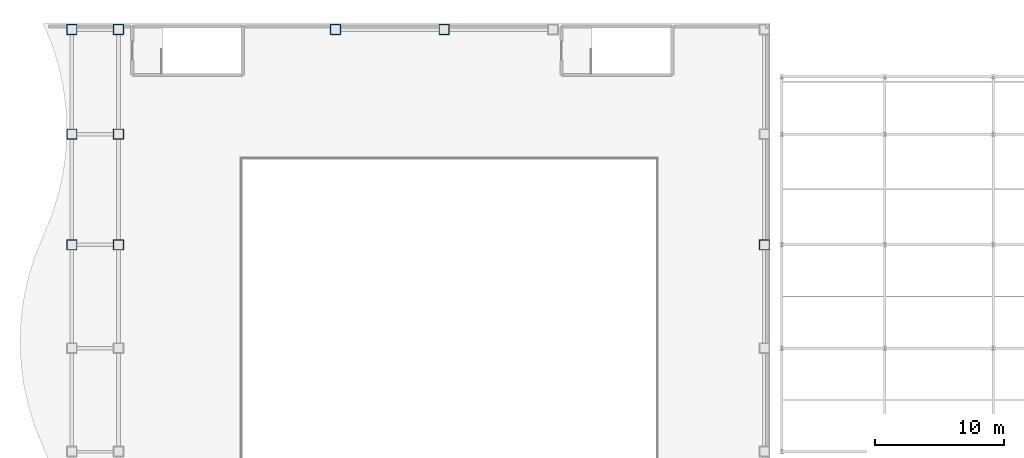
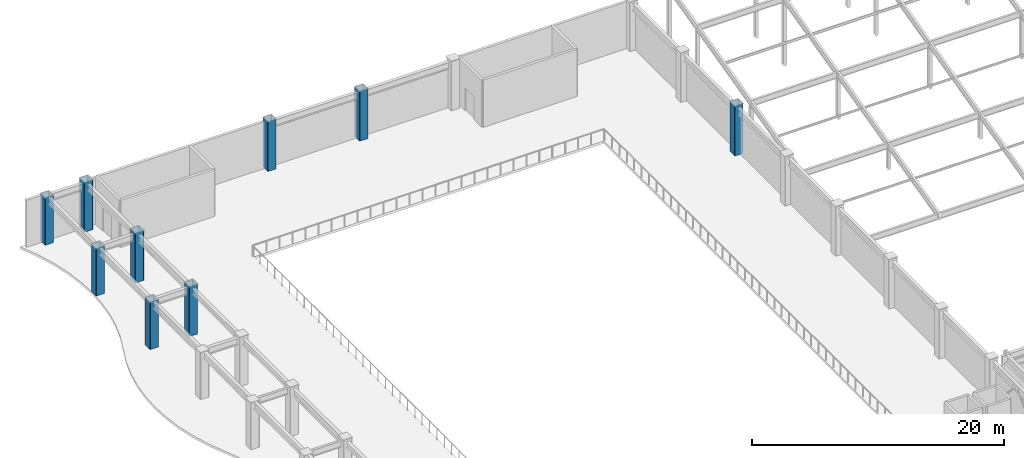
# One storey, part 10 of 93: 9 columns.
"""IFC4 building model written with IfcOpenShell, lengths in metres."""

from ifc_helpers import new_model, si_unit, direction, frame, origin, origin_2d, place, context, subcontext, project, spatial, hollow_rectangle, extrude, material, material_profile, profile_set, type_object, element, save


model = new_model("IFC4")

# Units and contexts
model_context = context("Model", 3, precision=1e-05, world=origin(), true_north=direction((0.0, 1.0)))
body_context = subcontext(model_context, "Body", "Model", "MODEL_VIEW")
ifc_project = project(units=[si_unit("LENGTHUNIT", "METRE"), si_unit("AREAUNIT", "SQUARE_METRE"), si_unit("VOLUMEUNIT", "CUBIC_METRE"), si_unit("PLANEANGLEUNIT", "RADIAN"), si_unit("MASSUNIT", "GRAM", prefix="KILO")], contexts=[model_context])

# Site, building, storey
site_placement = place(None, origin())
site = spatial("IfcSite", under=ifc_project, at=site_placement, CompositionType="ELEMENT")
building_placement = place(site_placement, origin())
building = spatial("IfcBuilding", under=site, at=building_placement, Name="Kazehara Bluff Congress Hotel", CompositionType="ELEMENT")
storey_placement = place(building_placement, frame((0.0, 0.0, 15.0)))
storey = spatial("IfcBuildingStorey", under=building, at=storey_placement, Name="L03", CompositionType="ELEMENT", Elevation=15.0)

# Columns
ifc_material = material(Name="Steel BCR295", Category="steel")
ifc_material_profile = material_profile(ifc_material, hollow_rectangle(XDim=0.800048828125, YDim=0.800048828125, WallThickness=0.031982421875, InnerFilletRadius=0.031982421875, OuterFilletRadius=0.06396484375, at=origin_2d()))
ifc_profile_set = profile_set([ifc_material_profile], Name="Steel BCR295")
column_type = type_object("IfcColumnType", Name="TP-C-02", PredefinedType="COLUMN", material=ifc_profile_set)
for number, where, z_axis, x_axis, name in (
    (1, (4.800048828125, 96.89990234375, 0.0), (0.0, 0.0, 1.0), (1.0, 0.0, 0.0), "L03 column C-02 (4.80,96.90)"),
    (2, (4.800048828125, 105.449951171875, 0.0), (0.0, 0.0, 1.0), (1.0, 0.0, 0.0), "L03 column C-02 (4.80,105.45)"),
    (3, (4.800048828125, 113.550048828125, 0.0), (0.0, 0.0, 1.0), (1.0, 0.0, 0.0), "L03 column C-02 (4.80,113.55)"),
):
    element("IfcColumn", number, at=place(storey_placement, frame(where, z_axis=z_axis, x_axis=x_axis)), inside=storey, type_object=column_type, Name=name, PredefinedType="COLUMN", context=body_context, shape_type="SweptSolid", body=[
        extrude(hollow_rectangle(XDim=0.800048828125, YDim=0.800048828125, WallThickness=0.031982421875, InnerFilletRadius=0.031982421875, OuterFilletRadius=0.06396484375, at=origin_2d()), origin(), (0.0, 0.0, 1.0), 4.56005859375),
    ])
for number, where, z_axis, x_axis, name in (
    (4, (8.39990234375, 96.89990234375, 0.0), (0.0, 0.0, 1.0), (1.0, 0.0, 0.0), "L03 column C-02 (8.40,96.90)"),
    (5, (8.39990234375, 105.449951171875, 0.0), (0.0, 0.0, 1.0), (1.0, 0.0, 0.0), "L03 column C-02 (8.40,105.45)"),
    (6, (8.39990234375, 113.550048828125, 0.0), (0.0, 0.0, 1.0), (1.0, 0.0, 0.0), "L03 column C-02 (8.40,113.55)"),
    (7, (25.199951171875, 113.550048828125, 0.0), (0.0, 0.0, 1.0), (1.0, 0.0, 0.0), "L03 column C-02 (25.20,113.55)"),
    (8, (33.60009765625, 113.550048828125, 0.0), (0.0, 0.0, 1.0), (1.0, 0.0, 0.0), "L03 column C-02 (33.60,113.55)"),
    (9, (58.35009765625, 96.89990234375, 0.0), (0.0, 0.0, 1.0), (1.0, 0.0, 0.0), "L03 column C-02 (58.35,96.90)"),
):
    element("IfcColumn", number, at=place(storey_placement, frame(where, z_axis=z_axis, x_axis=x_axis)), inside=storey, type_object=column_type, Name=name, PredefinedType="COLUMN", context=body_context, shape_type="SweptSolid", body=[
        extrude(hollow_rectangle(XDim=0.800048828125, YDim=0.800048828125, WallThickness=0.031982421875, InnerFilletRadius=0.031982421875, OuterFilletRadius=0.06396484375, at=origin_2d()), origin(), (0.0, 0.0, 1.0), 4.800048828125),
    ])

save(model, "model.ifc")
